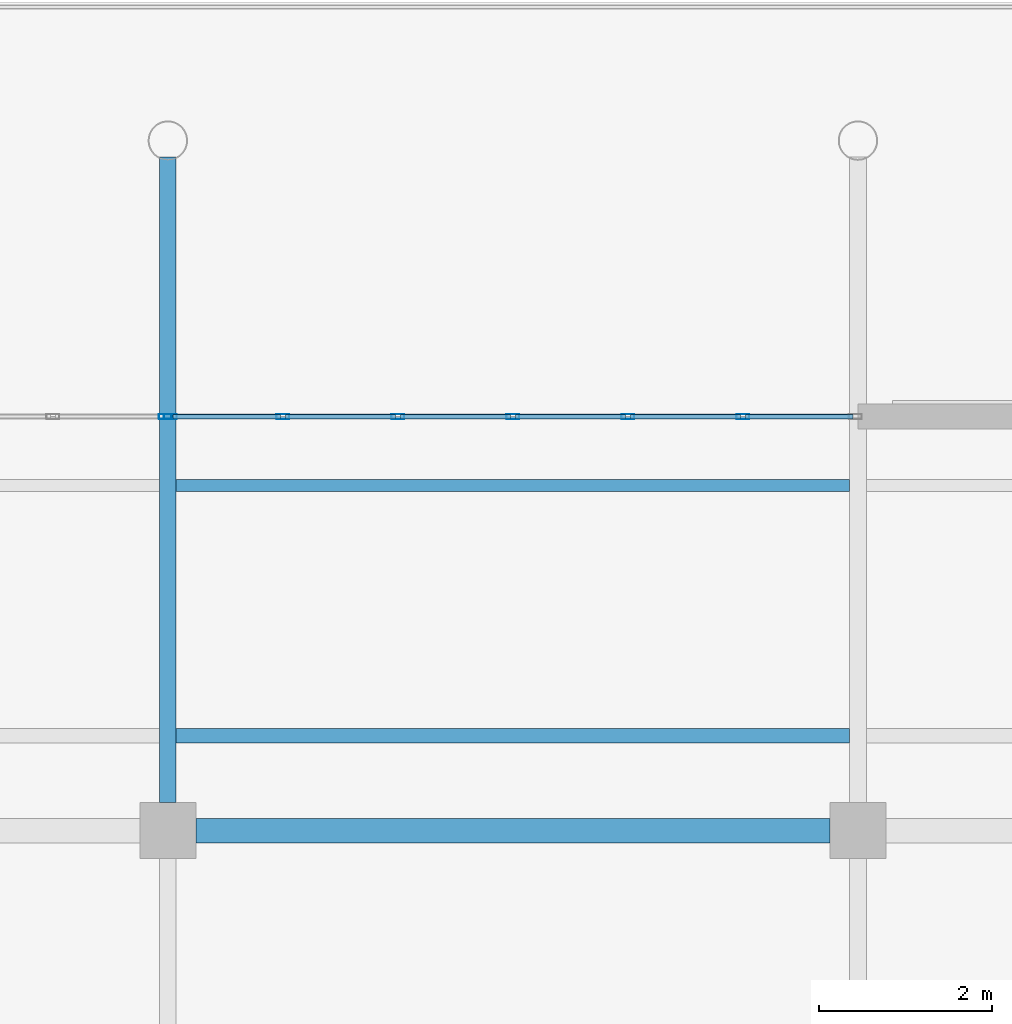
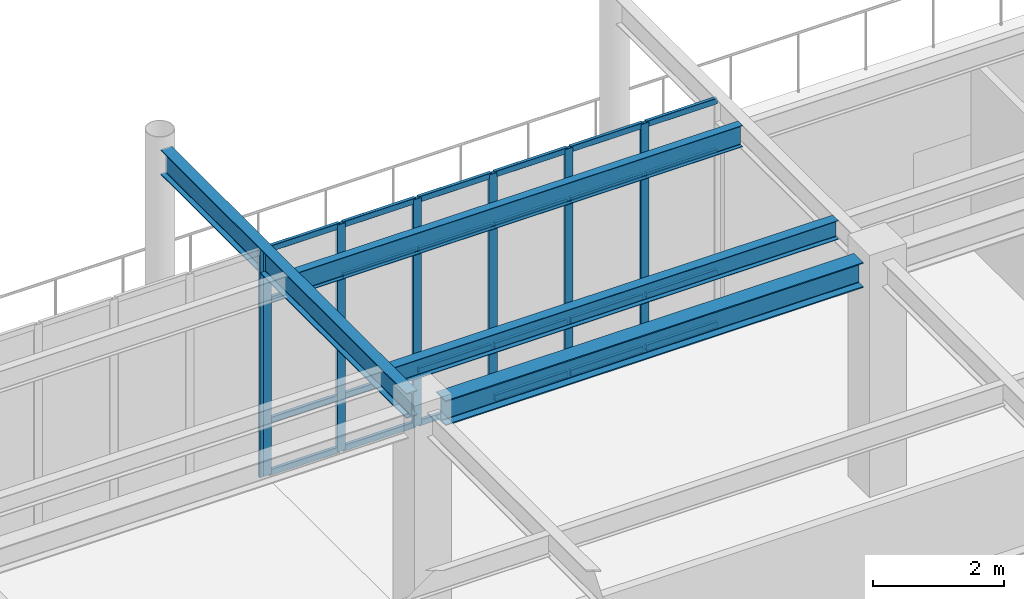
# One storey, part 24 of 75: 31 members, 4 beams, 2 elements without a shape of their own.
"""IFC4 building model written with IfcOpenShell, lengths in metres."""

from ifc_helpers import new_model, si_unit, direction, frame, origin, origin_2d, place, context, subcontext, project, spatial, hollow_rectangle, i_section, extrude, material, material_profile, profile_set, type_object, element, aggregate, save


model = new_model("IFC4")

# Units and contexts
model_context = context("Model", 3, precision=1e-05, world=origin(), true_north=direction((0.0, 1.0)))
body_context = subcontext(model_context, "Body", "Model", "MODEL_VIEW")
ifc_project = project(units=[si_unit("LENGTHUNIT", "METRE"), si_unit("AREAUNIT", "SQUARE_METRE"), si_unit("VOLUMEUNIT", "CUBIC_METRE"), si_unit("PLANEANGLEUNIT", "RADIAN"), si_unit("MASSUNIT", "GRAM", prefix="KILO")], contexts=[model_context])

# Site, building, storey
site_placement = place(None, origin())
site = spatial("IfcSite", under=ifc_project, at=site_placement, CompositionType="ELEMENT")
building_placement = place(site_placement, origin())
building = spatial("IfcBuilding", under=site, at=building_placement, Name="Solmirada Galleria", CompositionType="ELEMENT")
storey_placement = place(building_placement, frame((0.0, 0.0, 19.39990234375)))
storey = spatial("IfcBuildingStorey", under=building, at=storey_placement, Name="L04", CompositionType="ELEMENT", Elevation=19.39990234375)

# Beams
ifc_material_1 = material(Name="Steel S355 / ASTM A992 Grade 50", Category="steel")
ifc_material_profile_1 = material_profile(ifc_material_1, i_section(OverallWidth=0.281982421875, OverallDepth=0.467041015625, WebThickness=0.01220703125, FlangeThickness=0.01953125, FilletRadius=0.013916015625, at=origin_2d()), Name="W18X86")
ifc_profile_set_1 = profile_set([ifc_material_profile_1], Name="Steel S355 / ASTM A992 Grade 50")
beam_type_1 = type_object("IfcBeamType", Name="BM-GIRD-W18A", PredefinedType="BEAM", material=ifc_profile_set_1)
beam_1_placement = place(storey_placement, frame((112.324951171875, 24.0, 4.026611328125), z_axis=(1.0, 0.0, 0.0), x_axis=(0.0, 1.0, 0.0)))
element("IfcBeam", 1, at=beam_1_placement, inside=storey, type_object=beam_type_1, Name="Primary beam L05 X(112..120, 24)", PredefinedType="BEAM", context=body_context, shape_type="SweptSolid", body=[
    extrude(i_section(OverallWidth=0.281982421875, OverallDepth=0.467041015625, WebThickness=0.01220703125, FlangeThickness=0.01953125, FilletRadius=0.013916015625, at=origin_2d()), origin(), (0.0, 0.0, 1.0), 7.35009765625),
])
ifc_material_profile_2 = material_profile(ifc_material_1, i_section(OverallWidth=0.193115234375, OverallDepth=0.466064453125, WebThickness=0.011474609375, FlangeThickness=0.01904296875, FilletRadius=0.013916015625, at=origin_2d()), Name="W18X65")
ifc_profile_set_2 = profile_set([ifc_material_profile_2], Name="Steel S355 / ASTM A992 Grade 50")
beam_type_2 = type_object("IfcBeamType", Name="BM-GIRD-W18C", PredefinedType="BEAM", material=ifc_profile_set_2)
beam_2_placement = place(storey_placement, frame((112.0, 24.324951171875, 4.027099609375), z_axis=(0.0, 1.0, 0.0), x_axis=(-1.0, 0.0, 0.0)))
element("IfcBeam", 2, at=beam_2_placement, inside=storey, type_object=beam_type_2, Name="Primary girder L05 Y(112, 24..32)", PredefinedType="BEAM", context=body_context, shape_type="SweptSolid", body=[
    extrude(i_section(OverallWidth=0.193115234375, OverallDepth=0.466064453125, WebThickness=0.011474609375, FlangeThickness=0.01904296875, FilletRadius=0.013916015625, at=origin_2d()), origin(), (0.0, 0.0, 1.0), 7.483154296875),
])
ifc_material_profile_3 = material_profile(ifc_material_1, i_section(OverallWidth=0.1708984375, OverallDepth=0.35205078125, WebThickness=0.0068359375, FlangeThickness=0.009765625, FilletRadius=0.010986328125, at=origin_2d()), Name="W14X30")
ifc_profile_set_3 = profile_set([ifc_material_profile_3], Name="Steel S355 / ASTM A992 Grade 50")
beam_type_3 = type_object("IfcBeamType", Name="BM-JST-W14B", PredefinedType="JOIST", material=ifc_profile_set_3)
beam_3_placement = place(storey_placement, frame((112.096435546875, 25.10009765625, 4.083984375), z_axis=(1.0, 0.0, 0.0), x_axis=(0.0, 1.0, 0.0)))
element("IfcBeam", 3, at=beam_3_placement, inside=storey, type_object=beam_type_3, Name="Terrace deck joist L05-TERR-SE X=112..120 (1)", PredefinedType="JOIST", context=body_context, shape_type="SweptSolid", body=[
    extrude(i_section(OverallWidth=0.1708984375, OverallDepth=0.35205078125, WebThickness=0.0068359375, FlangeThickness=0.009765625, FilletRadius=0.010986328125, at=origin_2d()), origin(), (0.0, 0.0, 1.0), 7.80712890625),
])
ifc_material_profile_4 = material_profile(ifc_material_1, i_section(OverallWidth=0.139892578125, OverallDepth=0.39892578125, WebThickness=0.00634765625, FlangeThickness=0.0087890625, FilletRadius=0.010986328125, at=origin_2d()), Name="W16X26")
ifc_profile_set_4 = profile_set([ifc_material_profile_4], Name="Steel S355 / ASTM A992 Grade 50")
beam_type_4 = type_object("IfcBeamType", Name="BM-JST-W16C", PredefinedType="JOIST", material=ifc_profile_set_4)
beam_4_placement = place(storey_placement, frame((112.096435546875, 28.0, 4.060546875), z_axis=(1.0, 0.0, 0.0), x_axis=(0.0, 1.0, 0.0)))
element("IfcBeam", 4, at=beam_4_placement, inside=storey, type_object=beam_type_4, Name="Composite floor joist L05 (112..120, 28.0)", PredefinedType="JOIST", context=body_context, shape_type="SweptSolid", body=[
    extrude(i_section(OverallWidth=0.139892578125, OverallDepth=0.39892578125, WebThickness=0.00634765625, FlangeThickness=0.0087890625, FilletRadius=0.010986328125, at=origin_2d()), origin(), (0.0, 0.0, 1.0), 7.80712890625),
])

# Curtain wall, member
ifc_material_2 = material(Name="Impact-resistant low-E double glazing", Category="glass")
curtain_wall_type = type_object("IfcCurtainWallType", Name="CW-FZ5-L04-B6-L080", PredefinedType="NOTDEFINED", material=ifc_material_2)
curtain_wall_1_placement = place(storey_placement, origin())
curtain_wall_1 = element("IfcCurtainWall", 5, at=curtain_wall_1_placement, inside=storey, type_object=curtain_wall_type, Name="Terrace and arcade storefront CW-L04-160", PredefinedType="NOTDEFINED")
ifc_material_3 = material(Name="Anodised aluminium framing", Category="aluminium")
ifc_material_profile_5 = material_profile(ifc_material_3, hollow_rectangle(XDim=0.06005859375, YDim=0.14990234375, WallThickness=0.00341796875, InnerFilletRadius=0.00341796875, OuterFilletRadius=0.007080078125, at=origin_2d()), Name="ALU-MULL-150X60")
ifc_profile_set_5 = profile_set([ifc_material_profile_5], Name="Anodised aluminium framing")
member_type_1 = type_object("IfcMemberType", Name="CW-MULL-150", PredefinedType="MULLION", material=ifc_profile_set_5)
member_1_placement = place(storey_placement, frame((111.969970703125, 28.800048828125, 0.0), z_axis=(0.0, 0.0, 1.0), x_axis=(0.0, 1.0, 0.0)))
member_1 = element("IfcMember", 6, at=member_1_placement, type_object=member_type_1, Name="CW32 mullion 7", PredefinedType="MULLION", context=body_context, shape_type="SweptSolid", body=[
    extrude(hollow_rectangle(XDim=0.06005859375, YDim=0.14990234375, WallThickness=0.00341796875, InnerFilletRadius=0.00341796875, OuterFilletRadius=0.007080078125, at=origin_2d()), origin(), (0.0, 0.0, 1.0), 4.22021484375),
])
aggregate(curtain_wall_1, [member_1])

# Curtain wall, members
curtain_wall_2_placement = place(storey_placement, origin())
curtain_wall_2 = element("IfcCurtainWall", 7, at=curtain_wall_2_placement, inside=storey, type_object=curtain_wall_type, Name="Terrace and arcade storefront CW-L04-161", PredefinedType="NOTDEFINED")
member_2_placement = place(storey_placement, frame((112.030029296875, 28.800048828125, 0.0), z_axis=(0.0, 0.0, 1.0), x_axis=(0.0, 1.0, 0.0)))
member_2 = element("IfcMember", 8, at=member_2_placement, type_object=member_type_1, Name="CW32 mullion 1", PredefinedType="MULLION", context=body_context, shape_type="SweptSolid", body=[
    extrude(hollow_rectangle(XDim=0.06005859375, YDim=0.14990234375, WallThickness=0.00341796875, InnerFilletRadius=0.00341796875, OuterFilletRadius=0.007080078125, at=origin_2d()), origin(), (0.0, 0.0, 1.0), 4.22021484375),
])
member_3_placement = place(storey_placement, frame((113.333251953125, 28.800048828125, 0.0), z_axis=(0.0, 0.0, 1.0), x_axis=(0.0, 1.0, 0.0)))
member_3 = element("IfcMember", 9, at=member_3_placement, type_object=member_type_1, Name="CW32 mullion 2", PredefinedType="MULLION", context=body_context, shape_type="SweptSolid", body=[
    extrude(hollow_rectangle(XDim=0.06005859375, YDim=0.14990234375, WallThickness=0.00341796875, InnerFilletRadius=0.00341796875, OuterFilletRadius=0.007080078125, at=origin_2d()), origin(), (0.0, 0.0, 1.0), 4.22021484375),
])
member_4_placement = place(storey_placement, frame((114.666748046875, 28.800048828125, 0.0), z_axis=(0.0, 0.0, 1.0), x_axis=(0.0, 1.0, 0.0)))
member_4 = element("IfcMember", 10, at=member_4_placement, type_object=member_type_1, Name="CW32 mullion 3", PredefinedType="MULLION", context=body_context, shape_type="SweptSolid", body=[
    extrude(hollow_rectangle(XDim=0.06005859375, YDim=0.14990234375, WallThickness=0.00341796875, InnerFilletRadius=0.00341796875, OuterFilletRadius=0.007080078125, at=origin_2d()), origin(), (0.0, 0.0, 1.0), 4.22021484375),
])
member_5_placement = place(storey_placement, frame((116.0, 28.800048828125, 0.0), z_axis=(0.0, 0.0, 1.0), x_axis=(0.0, 1.0, 0.0)))
member_5 = element("IfcMember", 11, at=member_5_placement, type_object=member_type_1, Name="CW32 mullion 4", PredefinedType="MULLION", context=body_context, shape_type="SweptSolid", body=[
    extrude(hollow_rectangle(XDim=0.06005859375, YDim=0.14990234375, WallThickness=0.00341796875, InnerFilletRadius=0.00341796875, OuterFilletRadius=0.007080078125, at=origin_2d()), origin(), (0.0, 0.0, 1.0), 4.22021484375),
])
member_6_placement = place(storey_placement, frame((117.333251953125, 28.800048828125, 0.0), z_axis=(0.0, 0.0, 1.0), x_axis=(0.0, 1.0, 0.0)))
member_6 = element("IfcMember", 12, at=member_6_placement, type_object=member_type_1, Name="CW32 mullion 5", PredefinedType="MULLION", context=body_context, shape_type="SweptSolid", body=[
    extrude(hollow_rectangle(XDim=0.06005859375, YDim=0.14990234375, WallThickness=0.00341796875, InnerFilletRadius=0.00341796875, OuterFilletRadius=0.007080078125, at=origin_2d()), origin(), (0.0, 0.0, 1.0), 4.22021484375),
])
member_7_placement = place(storey_placement, frame((118.666748046875, 28.800048828125, 0.0), z_axis=(0.0, 0.0, 1.0), x_axis=(0.0, 1.0, 0.0)))
member_7 = element("IfcMember", 13, at=member_7_placement, type_object=member_type_1, Name="CW32 mullion 6", PredefinedType="MULLION", context=body_context, shape_type="SweptSolid", body=[
    extrude(hollow_rectangle(XDim=0.06005859375, YDim=0.14990234375, WallThickness=0.00341796875, InnerFilletRadius=0.00341796875, OuterFilletRadius=0.007080078125, at=origin_2d()), origin(), (0.0, 0.0, 1.0), 4.22021484375),
])
ifc_material_profile_6 = material_profile(ifc_material_3, hollow_rectangle(XDim=0.06005859375, YDim=0.110107421875, WallThickness=0.003173828125, InnerFilletRadius=0.003173828125, OuterFilletRadius=0.00634765625, at=origin_2d()), Name="ALU-TRAN-110X60")
ifc_profile_set_6 = profile_set([ifc_material_profile_6], Name="Anodised aluminium framing")
member_type_2 = type_object("IfcMemberType", Name="CW-TRAN-110", PredefinedType="USERDEFINED", material=ifc_profile_set_6)
member_8_placement = place(storey_placement, frame((112.06005859375, 28.800048828125, 0.030029296875), z_axis=(1.0, 0.0, 0.0), x_axis=(0.0, 1.0, 0.0)))
member_8 = element("IfcMember", 14, at=member_8_placement, type_object=member_type_2, Name="CW32 transom 1.1", ObjectType="TRANSOM", PredefinedType="USERDEFINED", context=body_context, shape_type="SweptSolid", body=[
    extrude(hollow_rectangle(XDim=0.06005859375, YDim=0.110107421875, WallThickness=0.003173828125, InnerFilletRadius=0.003173828125, OuterFilletRadius=0.00634765625, at=origin_2d()), origin(), (0.0, 0.0, 1.0), 1.2431640625),
])
member_9_placement = place(storey_placement, frame((112.06005859375, 28.800048828125, 1.0), z_axis=(1.0, 0.0, 0.0), x_axis=(0.0, 1.0, 0.0)))
member_9 = element("IfcMember", 15, at=member_9_placement, type_object=member_type_2, Name="CW32 transom 1.2", ObjectType="TRANSOM", PredefinedType="USERDEFINED", context=body_context, shape_type="SweptSolid", body=[
    extrude(hollow_rectangle(XDim=0.06005859375, YDim=0.110107421875, WallThickness=0.003173828125, InnerFilletRadius=0.003173828125, OuterFilletRadius=0.00634765625, at=origin_2d()), origin(), (0.0, 0.0, 1.0), 1.2431640625),
])
member_10_placement = place(storey_placement, frame((112.06005859375, 28.800048828125, 3.239990234375), z_axis=(1.0, 0.0, 0.0), x_axis=(0.0, 1.0, 0.0)))
member_10 = element("IfcMember", 16, at=member_10_placement, type_object=member_type_2, Name="CW32 transom 1.3", ObjectType="TRANSOM", PredefinedType="USERDEFINED", context=body_context, shape_type="SweptSolid", body=[
    extrude(hollow_rectangle(XDim=0.06005859375, YDim=0.110107421875, WallThickness=0.003173828125, InnerFilletRadius=0.003173828125, OuterFilletRadius=0.00634765625, at=origin_2d()), origin(), (0.0, 0.0, 1.0), 1.2431640625),
])
member_11_placement = place(storey_placement, frame((112.06005859375, 28.800048828125, 4.190185546875), z_axis=(1.0, 0.0, 0.0), x_axis=(0.0, 1.0, 0.0)))
member_11 = element("IfcMember", 17, at=member_11_placement, type_object=member_type_2, Name="CW32 transom 1.4", ObjectType="TRANSOM", PredefinedType="USERDEFINED", context=body_context, shape_type="SweptSolid", body=[
    extrude(hollow_rectangle(XDim=0.06005859375, YDim=0.110107421875, WallThickness=0.003173828125, InnerFilletRadius=0.003173828125, OuterFilletRadius=0.00634765625, at=origin_2d()), origin(), (0.0, 0.0, 1.0), 1.2431640625),
])
member_12_placement = place(storey_placement, frame((113.36328125, 28.800048828125, 0.030029296875), z_axis=(1.0, 0.0, 0.0), x_axis=(0.0, 1.0, 0.0)))
member_12 = element("IfcMember", 18, at=member_12_placement, type_object=member_type_2, Name="CW32 transom 2.1", ObjectType="TRANSOM", PredefinedType="USERDEFINED", context=body_context, shape_type="SweptSolid", body=[
    extrude(hollow_rectangle(XDim=0.06005859375, YDim=0.110107421875, WallThickness=0.003173828125, InnerFilletRadius=0.003173828125, OuterFilletRadius=0.00634765625, at=origin_2d()), origin(), (0.0, 0.0, 1.0), 1.2734375),
])
member_13_placement = place(storey_placement, frame((113.36328125, 28.800048828125, 1.0), z_axis=(1.0, 0.0, 0.0), x_axis=(0.0, 1.0, 0.0)))
member_13 = element("IfcMember", 19, at=member_13_placement, type_object=member_type_2, Name="CW32 transom 2.2", ObjectType="TRANSOM", PredefinedType="USERDEFINED", context=body_context, shape_type="SweptSolid", body=[
    extrude(hollow_rectangle(XDim=0.06005859375, YDim=0.110107421875, WallThickness=0.003173828125, InnerFilletRadius=0.003173828125, OuterFilletRadius=0.00634765625, at=origin_2d()), origin(), (0.0, 0.0, 1.0), 1.2734375),
])
member_14_placement = place(storey_placement, frame((113.36328125, 28.800048828125, 3.239990234375), z_axis=(1.0, 0.0, 0.0), x_axis=(0.0, 1.0, 0.0)))
member_14 = element("IfcMember", 20, at=member_14_placement, type_object=member_type_2, Name="CW32 transom 2.3", ObjectType="TRANSOM", PredefinedType="USERDEFINED", context=body_context, shape_type="SweptSolid", body=[
    extrude(hollow_rectangle(XDim=0.06005859375, YDim=0.110107421875, WallThickness=0.003173828125, InnerFilletRadius=0.003173828125, OuterFilletRadius=0.00634765625, at=origin_2d()), origin(), (0.0, 0.0, 1.0), 1.2734375),
])
member_15_placement = place(storey_placement, frame((113.36328125, 28.800048828125, 4.190185546875), z_axis=(1.0, 0.0, 0.0), x_axis=(0.0, 1.0, 0.0)))
member_15 = element("IfcMember", 21, at=member_15_placement, type_object=member_type_2, Name="CW32 transom 2.4", ObjectType="TRANSOM", PredefinedType="USERDEFINED", context=body_context, shape_type="SweptSolid", body=[
    extrude(hollow_rectangle(XDim=0.06005859375, YDim=0.110107421875, WallThickness=0.003173828125, InnerFilletRadius=0.003173828125, OuterFilletRadius=0.00634765625, at=origin_2d()), origin(), (0.0, 0.0, 1.0), 1.2734375),
])
member_16_placement = place(storey_placement, frame((114.69677734375, 28.800048828125, 0.030029296875), z_axis=(1.0, 0.0, 0.0), x_axis=(0.0, 1.0, 0.0)))
member_16 = element("IfcMember", 22, at=member_16_placement, type_object=member_type_2, Name="CW32 transom 3.1", ObjectType="TRANSOM", PredefinedType="USERDEFINED", context=body_context, shape_type="SweptSolid", body=[
    extrude(hollow_rectangle(XDim=0.06005859375, YDim=0.110107421875, WallThickness=0.003173828125, InnerFilletRadius=0.003173828125, OuterFilletRadius=0.00634765625, at=origin_2d()), origin(), (0.0, 0.0, 1.0), 1.273193359375),
])
member_17_placement = place(storey_placement, frame((114.69677734375, 28.800048828125, 1.0), z_axis=(1.0, 0.0, 0.0), x_axis=(0.0, 1.0, 0.0)))
member_17 = element("IfcMember", 23, at=member_17_placement, type_object=member_type_2, Name="CW32 transom 3.2", ObjectType="TRANSOM", PredefinedType="USERDEFINED", context=body_context, shape_type="SweptSolid", body=[
    extrude(hollow_rectangle(XDim=0.06005859375, YDim=0.110107421875, WallThickness=0.003173828125, InnerFilletRadius=0.003173828125, OuterFilletRadius=0.00634765625, at=origin_2d()), origin(), (0.0, 0.0, 1.0), 1.273193359375),
])
member_18_placement = place(storey_placement, frame((114.69677734375, 28.800048828125, 3.239990234375), z_axis=(1.0, 0.0, 0.0), x_axis=(0.0, 1.0, 0.0)))
member_18 = element("IfcMember", 24, at=member_18_placement, type_object=member_type_2, Name="CW32 transom 3.3", ObjectType="TRANSOM", PredefinedType="USERDEFINED", context=body_context, shape_type="SweptSolid", body=[
    extrude(hollow_rectangle(XDim=0.06005859375, YDim=0.110107421875, WallThickness=0.003173828125, InnerFilletRadius=0.003173828125, OuterFilletRadius=0.00634765625, at=origin_2d()), origin(), (0.0, 0.0, 1.0), 1.273193359375),
])
member_19_placement = place(storey_placement, frame((114.69677734375, 28.800048828125, 4.190185546875), z_axis=(1.0, 0.0, 0.0), x_axis=(0.0, 1.0, 0.0)))
member_19 = element("IfcMember", 25, at=member_19_placement, type_object=member_type_2, Name="CW32 transom 3.4", ObjectType="TRANSOM", PredefinedType="USERDEFINED", context=body_context, shape_type="SweptSolid", body=[
    extrude(hollow_rectangle(XDim=0.06005859375, YDim=0.110107421875, WallThickness=0.003173828125, InnerFilletRadius=0.003173828125, OuterFilletRadius=0.00634765625, at=origin_2d()), origin(), (0.0, 0.0, 1.0), 1.273193359375),
])
member_20_placement = place(storey_placement, frame((116.030029296875, 28.800048828125, 0.030029296875), z_axis=(1.0, 0.0, 0.0), x_axis=(0.0, 1.0, 0.0)))
member_20 = element("IfcMember", 26, at=member_20_placement, type_object=member_type_2, Name="CW32 transom 4.1", ObjectType="TRANSOM", PredefinedType="USERDEFINED", context=body_context, shape_type="SweptSolid", body=[
    extrude(hollow_rectangle(XDim=0.06005859375, YDim=0.110107421875, WallThickness=0.003173828125, InnerFilletRadius=0.003173828125, OuterFilletRadius=0.00634765625, at=origin_2d()), origin(), (0.0, 0.0, 1.0), 1.273193359375),
])
member_21_placement = place(storey_placement, frame((116.030029296875, 28.800048828125, 1.0), z_axis=(1.0, 0.0, 0.0), x_axis=(0.0, 1.0, 0.0)))
member_21 = element("IfcMember", 27, at=member_21_placement, type_object=member_type_2, Name="CW32 transom 4.2", ObjectType="TRANSOM", PredefinedType="USERDEFINED", context=body_context, shape_type="SweptSolid", body=[
    extrude(hollow_rectangle(XDim=0.06005859375, YDim=0.110107421875, WallThickness=0.003173828125, InnerFilletRadius=0.003173828125, OuterFilletRadius=0.00634765625, at=origin_2d()), origin(), (0.0, 0.0, 1.0), 1.273193359375),
])
member_22_placement = place(storey_placement, frame((116.030029296875, 28.800048828125, 3.239990234375), z_axis=(1.0, 0.0, 0.0), x_axis=(0.0, 1.0, 0.0)))
member_22 = element("IfcMember", 28, at=member_22_placement, type_object=member_type_2, Name="CW32 transom 4.3", ObjectType="TRANSOM", PredefinedType="USERDEFINED", context=body_context, shape_type="SweptSolid", body=[
    extrude(hollow_rectangle(XDim=0.06005859375, YDim=0.110107421875, WallThickness=0.003173828125, InnerFilletRadius=0.003173828125, OuterFilletRadius=0.00634765625, at=origin_2d()), origin(), (0.0, 0.0, 1.0), 1.273193359375),
])
member_23_placement = place(storey_placement, frame((116.030029296875, 28.800048828125, 4.190185546875), z_axis=(1.0, 0.0, 0.0), x_axis=(0.0, 1.0, 0.0)))
member_23 = element("IfcMember", 29, at=member_23_placement, type_object=member_type_2, Name="CW32 transom 4.4", ObjectType="TRANSOM", PredefinedType="USERDEFINED", context=body_context, shape_type="SweptSolid", body=[
    extrude(hollow_rectangle(XDim=0.06005859375, YDim=0.110107421875, WallThickness=0.003173828125, InnerFilletRadius=0.003173828125, OuterFilletRadius=0.00634765625, at=origin_2d()), origin(), (0.0, 0.0, 1.0), 1.273193359375),
])
member_24_placement = place(storey_placement, frame((117.36328125, 28.800048828125, 0.030029296875), z_axis=(1.0, 0.0, 0.0), x_axis=(0.0, 1.0, 0.0)))
member_24 = element("IfcMember", 30, at=member_24_placement, type_object=member_type_2, Name="CW32 transom 5.1", ObjectType="TRANSOM", PredefinedType="USERDEFINED", context=body_context, shape_type="SweptSolid", body=[
    extrude(hollow_rectangle(XDim=0.06005859375, YDim=0.110107421875, WallThickness=0.003173828125, InnerFilletRadius=0.003173828125, OuterFilletRadius=0.00634765625, at=origin_2d()), origin(), (0.0, 0.0, 1.0), 1.2734375),
])
member_25_placement = place(storey_placement, frame((117.36328125, 28.800048828125, 1.0), z_axis=(1.0, 0.0, 0.0), x_axis=(0.0, 1.0, 0.0)))
member_25 = element("IfcMember", 31, at=member_25_placement, type_object=member_type_2, Name="CW32 transom 5.2", ObjectType="TRANSOM", PredefinedType="USERDEFINED", context=body_context, shape_type="SweptSolid", body=[
    extrude(hollow_rectangle(XDim=0.06005859375, YDim=0.110107421875, WallThickness=0.003173828125, InnerFilletRadius=0.003173828125, OuterFilletRadius=0.00634765625, at=origin_2d()), origin(), (0.0, 0.0, 1.0), 1.2734375),
])
member_26_placement = place(storey_placement, frame((117.36328125, 28.800048828125, 3.239990234375), z_axis=(1.0, 0.0, 0.0), x_axis=(0.0, 1.0, 0.0)))
member_26 = element("IfcMember", 32, at=member_26_placement, type_object=member_type_2, Name="CW32 transom 5.3", ObjectType="TRANSOM", PredefinedType="USERDEFINED", context=body_context, shape_type="SweptSolid", body=[
    extrude(hollow_rectangle(XDim=0.06005859375, YDim=0.110107421875, WallThickness=0.003173828125, InnerFilletRadius=0.003173828125, OuterFilletRadius=0.00634765625, at=origin_2d()), origin(), (0.0, 0.0, 1.0), 1.2734375),
])
member_27_placement = place(storey_placement, frame((117.36328125, 28.800048828125, 4.190185546875), z_axis=(1.0, 0.0, 0.0), x_axis=(0.0, 1.0, 0.0)))
member_27 = element("IfcMember", 33, at=member_27_placement, type_object=member_type_2, Name="CW32 transom 5.4", ObjectType="TRANSOM", PredefinedType="USERDEFINED", context=body_context, shape_type="SweptSolid", body=[
    extrude(hollow_rectangle(XDim=0.06005859375, YDim=0.110107421875, WallThickness=0.003173828125, InnerFilletRadius=0.003173828125, OuterFilletRadius=0.00634765625, at=origin_2d()), origin(), (0.0, 0.0, 1.0), 1.2734375),
])
member_28_placement = place(storey_placement, frame((118.69677734375, 28.800048828125, 0.030029296875), z_axis=(1.0, 0.0, 0.0), x_axis=(0.0, 1.0, 0.0)))
member_28 = element("IfcMember", 34, at=member_28_placement, type_object=member_type_2, Name="CW32 transom 6.1", ObjectType="TRANSOM", PredefinedType="USERDEFINED", context=body_context, shape_type="SweptSolid", body=[
    extrude(hollow_rectangle(XDim=0.06005859375, YDim=0.110107421875, WallThickness=0.003173828125, InnerFilletRadius=0.003173828125, OuterFilletRadius=0.00634765625, at=origin_2d()), origin(), (0.0, 0.0, 1.0), 1.2431640625),
])
member_29_placement = place(storey_placement, frame((118.69677734375, 28.800048828125, 1.0), z_axis=(1.0, 0.0, 0.0), x_axis=(0.0, 1.0, 0.0)))
member_29 = element("IfcMember", 35, at=member_29_placement, type_object=member_type_2, Name="CW32 transom 6.2", ObjectType="TRANSOM", PredefinedType="USERDEFINED", context=body_context, shape_type="SweptSolid", body=[
    extrude(hollow_rectangle(XDim=0.06005859375, YDim=0.110107421875, WallThickness=0.003173828125, InnerFilletRadius=0.003173828125, OuterFilletRadius=0.00634765625, at=origin_2d()), origin(), (0.0, 0.0, 1.0), 1.2431640625),
])
member_30_placement = place(storey_placement, frame((118.69677734375, 28.800048828125, 3.239990234375), z_axis=(1.0, 0.0, 0.0), x_axis=(0.0, 1.0, 0.0)))
member_30 = element("IfcMember", 36, at=member_30_placement, type_object=member_type_2, Name="CW32 transom 6.3", ObjectType="TRANSOM", PredefinedType="USERDEFINED", context=body_context, shape_type="SweptSolid", body=[
    extrude(hollow_rectangle(XDim=0.06005859375, YDim=0.110107421875, WallThickness=0.003173828125, InnerFilletRadius=0.003173828125, OuterFilletRadius=0.00634765625, at=origin_2d()), origin(), (0.0, 0.0, 1.0), 1.2431640625),
])
member_31_placement = place(storey_placement, frame((118.69677734375, 28.800048828125, 4.190185546875), z_axis=(1.0, 0.0, 0.0), x_axis=(0.0, 1.0, 0.0)))
member_31 = element("IfcMember", 37, at=member_31_placement, type_object=member_type_2, Name="CW32 transom 6.4", ObjectType="TRANSOM", PredefinedType="USERDEFINED", context=body_context, shape_type="SweptSolid", body=[
    extrude(hollow_rectangle(XDim=0.06005859375, YDim=0.110107421875, WallThickness=0.003173828125, InnerFilletRadius=0.003173828125, OuterFilletRadius=0.00634765625, at=origin_2d()), origin(), (0.0, 0.0, 1.0), 1.2431640625),
])
aggregate(curtain_wall_2, [member_2, member_3, member_4, member_5, member_6, member_7, member_8, member_9, member_10, member_11, member_12, member_13, member_14, member_15, member_16, member_17, member_18, member_19, member_20, member_21, member_22, member_23, member_24, member_25, member_26, member_27, member_28, member_29, member_30, member_31])

save(model, "model.ifc")
